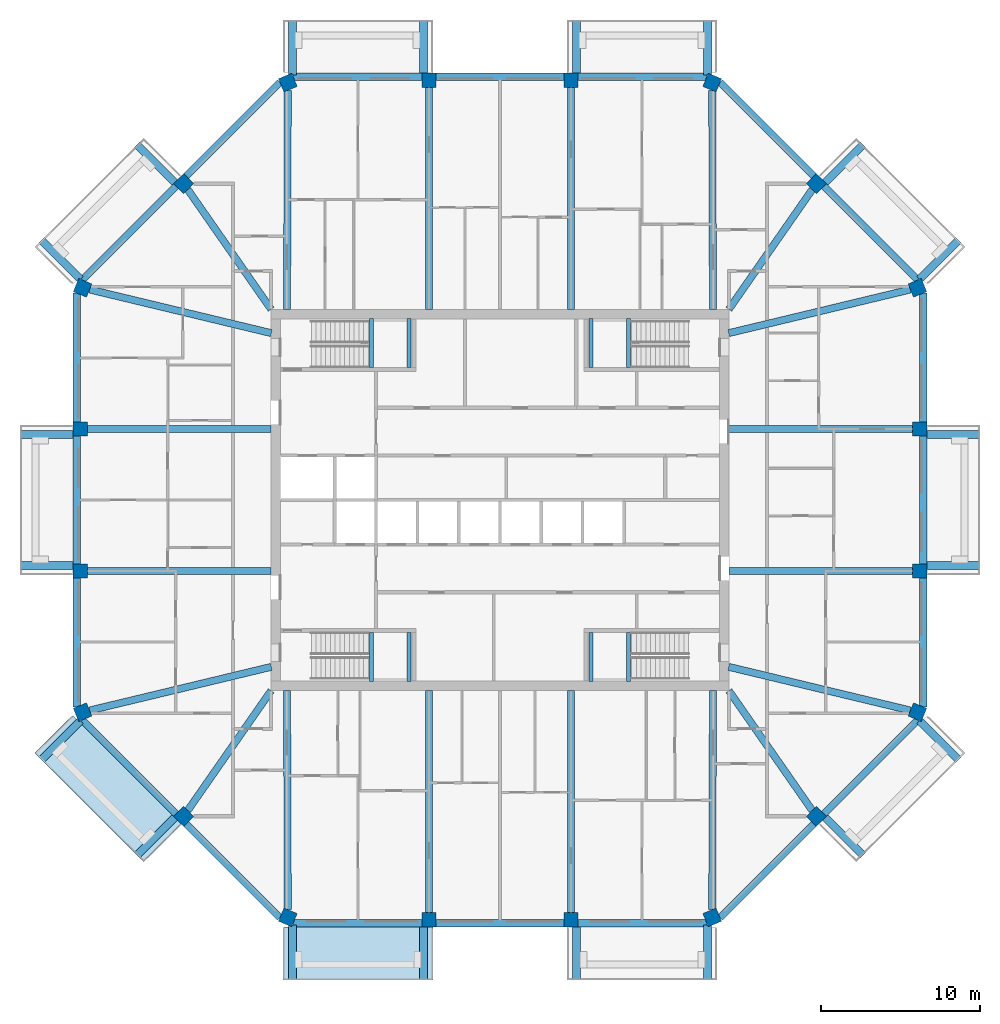
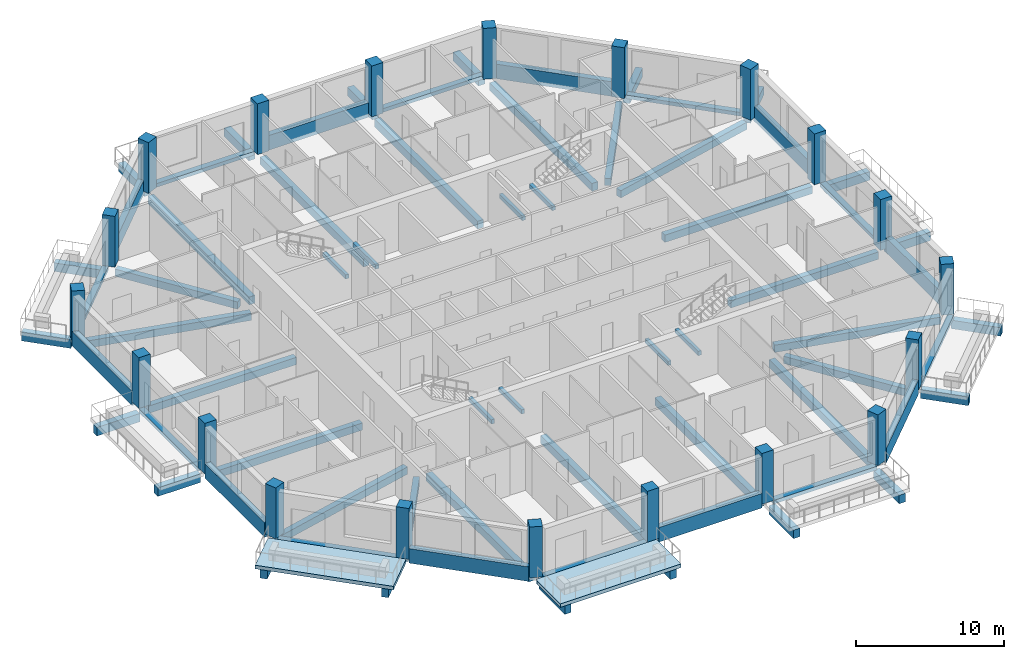
# One storey, part 1 of 13: 68 beams, 20 columns, 2 slabs.
"""IFC4 building model written with IfcOpenShell, lengths in metres."""

import ifcopenshell
import ifcopenshell.guid

model = None  # the IFC model being written
_history = None  # IfcOwnerHistory: only IFC2X3 demands one
_inside = {}  # id of a spatial element -> (the spatial element, [elements in it])
_under = {}  # id of a project, library or spatial element -> (it, [spatial elements below it])
_declared = {}  # id of a project -> (the project, [libraries it declares])
_typed = {}  # id of a type object -> (the type object, [elements of that type])
_made_of = {}  # id of a material, layer set ... -> (it, [elements and type objects made of it])


def new_model(schema):
    """Start an empty IFC model of exactly this schema.

    Asked for "IFC4X3", IfcOpenShell would pick the latest addendum, in which some entities
    have other attributes; the version numbers below select the first issue.
    IFC2X3 requires an IfcOwnerHistory on every rooted entity: one is made here for all.
    """
    global model, _history
    if schema == "IFC4X3":
        model = ifcopenshell.file(schema_version=(4, 3, 0, 0))
    else:
        model = ifcopenshell.file(schema=schema)
    _inside.clear()
    _under.clear()
    _declared.clear()
    _typed.clear()
    _made_of.clear()
    _history = None
    if model.schema == "IFC2X3":
        org = make("IfcOrganization", Name="unknown")
        user = make(
            "IfcPersonAndOrganization",
            ThePerson=make("IfcPerson", FamilyName="unknown"),
            TheOrganization=org,
        )
        app = make(
            "IfcApplication",
            ApplicationDeveloper=org,
            Version="unknown",
            ApplicationFullName="unknown",
            ApplicationIdentifier="unknown",
        )
        _history = make(
            "IfcOwnerHistory",
            OwningUser=user,
            OwningApplication=app,
            ChangeAction="ADDED",
            CreationDate=0,
        )
    return model


def make(cls, **values):
    """One entity of the class cls with the attributes given. An attribute that is None is left unset."""
    return model.create_entity(
        cls, **{name: value for name, value in values.items() if value is not None}
    )


def rooted(cls, **values):
    """An entity with a GlobalId (a new one), such as an element, a storey or a relation."""
    return make(cls, GlobalId=ifcopenshell.guid.new(), OwnerHistory=_history, **values)


def si_unit(unit_type, name, prefix=None):
    """IfcSIUnit, for example si_unit("LENGTHUNIT", "METRE", prefix="MILLI")."""
    return make("IfcSIUnit", UnitType=unit_type, Prefix=prefix, Name=name)


def assignment(units):
    """IfcUnitAssignment: the units of a project."""
    return None if units is None else make("IfcUnitAssignment", Units=units)


def point(xyz):
    """IfcCartesianPoint."""
    return None if xyz is None else make("IfcCartesianPoint", Coordinates=xyz)


def direction(xyz):
    """IfcDirection."""
    return None if xyz is None else make("IfcDirection", DirectionRatios=xyz)


def frame(location, z_axis=None, x_axis=None):
    """IfcAxis2Placement3D, a coordinate frame: its origin and axes. An axis left out is left unset."""
    return make(
        "IfcAxis2Placement3D",
        Location=point(location),
        Axis=direction(z_axis),
        RefDirection=direction(x_axis),
    )


def frame_2d(location, x_axis=None):
    """IfcAxis2Placement2D, a coordinate frame in the plane: its origin and x axis."""
    return make(
        "IfcAxis2Placement2D", Location=point(location), RefDirection=direction(x_axis)
    )


def origin():
    """The frame at (0, 0, 0) with its axes left unset."""
    return frame((0.0, 0.0, 0.0))


def origin_2d():
    """The frame at (0, 0) in the plane with its x axis left unset."""
    return frame_2d((0.0, 0.0))


def place(relative_to, where):
    """IfcLocalPlacement: puts the frame where relative to a parent placement (None: the world)."""
    return make(
        "IfcLocalPlacement", PlacementRelTo=relative_to, RelativePlacement=where
    )


def context(
    kind, dimensions, precision=None, world=None, true_north=None, identifier=None
):
    """IfcGeometricRepresentationContext, for example the 3D "Model" context."""
    return make(
        "IfcGeometricRepresentationContext",
        ContextIdentifier=identifier,
        ContextType=kind,
        CoordinateSpaceDimension=dimensions,
        Precision=precision,
        WorldCoordinateSystem=world,
        TrueNorth=true_north,
    )


def subcontext(parent, identifier, kind, view, scale=None):
    """IfcGeometricRepresentationSubContext, for example "Body" below "Model"."""
    return make(
        "IfcGeometricRepresentationSubContext",
        ContextIdentifier=identifier,
        ContextType=kind,
        ParentContext=parent,
        TargetScale=scale,
        TargetView=view,
    )


def project(units=None, contexts=None):
    """IfcProject with its units and contexts."""
    return rooted(
        "IfcProject",
        Name="project",
        RepresentationContexts=contexts,
        UnitsInContext=assignment(units),
    )


def spatial(cls, under=None, at=None, **own):
    """A site, building, storey or space (cls), placed at a placement, below another one or the project."""
    s = rooted(cls, ObjectPlacement=at, **own)
    if under is not None:
        _under.setdefault(under.id(), (under, []))[1].append(s)
    return s


def polyline(points):
    """IfcPolyline through the points."""
    return make("IfcPolyline", Points=[point(p) for p in points])


def profile(cls, at=None, kind="AREA", **sizes):
    """A parametric profile (cls). Its sizes go by their IFC names, for example OverallWidth=200.0."""
    return make(cls, ProfileType=kind, Position=at, **sizes)


def rectangle(**sizes):
    """IfcRectangleProfileDef."""
    return profile("IfcRectangleProfileDef", **sizes)


def outline(outer, holes=None, kind="AREA"):
    """IfcArbitraryClosedProfileDef: a profile drawn as a closed curve; with holes, ...WithVoids."""
    if holes is None:
        return make("IfcArbitraryClosedProfileDef", ProfileType=kind, OuterCurve=outer)
    return make(
        "IfcArbitraryProfileDefWithVoids",
        ProfileType=kind,
        OuterCurve=outer,
        InnerCurves=holes,
    )


def extrude(swept, where, along, depth):
    """IfcExtrudedAreaSolid: the profile swept, set in the frame where, extruded along a direction by depth."""
    return make(
        "IfcExtrudedAreaSolid",
        SweptArea=swept,
        Position=where,
        ExtrudedDirection=direction(along),
        Depth=depth,
    )


def shape(context_of_items, identifier, shape_type, items):
    """IfcShapeRepresentation: the items that make up one representation, for example the "Body"."""
    return make(
        "IfcShapeRepresentation",
        ContextOfItems=context_of_items,
        RepresentationIdentifier=identifier,
        RepresentationType=shape_type,
        Items=items,
    )


def material(Name=None, Category=None):
    """IfcMaterial."""
    return make("IfcMaterial", Name=Name, Category=Category)


def layer(
    of_material, thickness, ventilated=None, Name=None, Category=None, Priority=None
):
    """IfcMaterialLayer: one layer of a wall or slab, of a material (None: an air gap)."""
    return make(
        "IfcMaterialLayer",
        Material=of_material,
        LayerThickness=thickness,
        IsVentilated=ventilated,
        Name=Name,
        Category=Category,
        Priority=Priority,
    )


def layer_set(layers, Name=None):
    """IfcMaterialLayerSet."""
    return make("IfcMaterialLayerSet", MaterialLayers=layers, LayerSetName=Name)


def material_profile(
    of_material, cross_section, Name=None, Category=None, Priority=None
):
    """IfcMaterialProfile: a cross section and its material."""
    return make(
        "IfcMaterialProfile",
        Name=Name,
        Material=of_material,
        Profile=cross_section,
        Priority=Priority,
        Category=Category,
    )


def profile_set(profiles, Name=None, composite=None):
    """IfcMaterialProfileSet."""
    return make(
        "IfcMaterialProfileSet",
        Name=Name,
        MaterialProfiles=profiles,
        CompositeProfile=composite,
    )


def made_of(thing, what):
    """Note that an element or type object is made of a material, layer set ...; save() writes the relation."""
    if what is not None:
        _made_of.setdefault(what.id(), (what, []))[1].append(thing)
    return thing


def type_object(cls, material=None, **own):
    """A type object (cls), such as IfcWallType, which elements share."""
    return made_of(rooted(cls, **own), material)


def element(
    cls,
    number,
    at=None,
    inside=None,
    cuts=None,
    type_object=None,
    material=None,
    context=None,
    identifier="Body",
    shape_type=None,
    held_by="IfcProductDefinitionShape",
    body=None,
    shapes=None,
    **own,
):
    """One element of the class cls, such as IfcWall. Its Tag is "e" and its number.

    at: its placement. inside: the storey or other place that contains it. cuts: it is an
    opening in that element (IfcRelVoidsElement). A single representation is given by context,
    identifier, shape_type and body (its items); several are given by shapes. held_by: the class
    of the entity that holds the representations. save() writes the other relations.
    """
    e = rooted(cls, Tag="e%d" % number, ObjectPlacement=at, **own)
    if body is not None:
        shapes = [shape(context, identifier, shape_type, body)]
    if shapes is not None:
        e.Representation = make(held_by, Representations=shapes)
    if inside is not None:
        _inside.setdefault(inside.id(), (inside, []))[1].append(e)
    if cuts is not None:
        rooted(
            "IfcRelVoidsElement", RelatingBuildingElement=cuts, RelatedOpeningElement=e
        )
    if type_object is not None:
        _typed.setdefault(type_object.id(), (type_object, []))[1].append(e)
    return made_of(e, material)


def aggregate(whole, parts):
    """IfcRelAggregates: a whole, such as a stair, and the parts it consists of."""
    return rooted("IfcRelAggregates", RelatingObject=whole, RelatedObjects=parts)


def save(model, path):
    """Write the relations noted so far, then the file.

    IfcRelAggregates (storeys below a building ...), IfcRelContainedInSpatialStructure (elements
    in a storey), IfcRelDefinesByType, IfcRelAssociatesMaterial and IfcRelDeclares: one each for
    every whole, place, type object, material and project.
    """
    for whole, parts in _under.values():
        aggregate(whole, parts)
    for where, things in _inside.values():
        rooted(
            "IfcRelContainedInSpatialStructure",
            RelatedElements=things,
            RelatingStructure=where,
        )
    for kind, things in _typed.values():
        rooted("IfcRelDefinesByType", RelatedObjects=things, RelatingType=kind)
    for what, things in _made_of.values():
        rooted("IfcRelAssociatesMaterial", RelatedObjects=things, RelatingMaterial=what)
    for by, libraries in _declared.values():
        rooted("IfcRelDeclares", RelatingContext=by, RelatedDefinitions=libraries)
    model.write(path)


model = new_model("IFC4")

# Units and contexts
model_context = context("Model", 3, precision=1e-05, world=origin(), true_north=direction((0.0, 1.0)))
body_context = subcontext(model_context, "Body", "Model", "MODEL_VIEW")
ifc_project = project(units=[si_unit("LENGTHUNIT", "METRE"), si_unit("AREAUNIT", "SQUARE_METRE"), si_unit("VOLUMEUNIT", "CUBIC_METRE"), si_unit("PLANEANGLEUNIT", "RADIAN"), si_unit("MASSUNIT", "GRAM", prefix="KILO")], contexts=[model_context])

# Site, building, storey
site_placement = place(None, origin())
site = spatial("IfcSite", under=ifc_project, at=site_placement, CompositionType="ELEMENT")
building_placement = place(site_placement, origin())
building = spatial("IfcBuilding", under=site, at=building_placement, Name="Msitu Wima Residences", CompositionType="ELEMENT")
storey_placement = place(building_placement, frame((0.0, 0.0, 289.5)))
storey = spatial("IfcBuildingStorey", under=building, at=storey_placement, Name="L67", CompositionType="ELEMENT", Elevation=289.5)

# Columns
ifc_material_1 = material(Name="Concrete C50/60", Category="concrete")
ifc_material_profile_1 = material_profile(ifc_material_1, rectangle(XDim=0.89990234375, YDim=0.89990234375, at=origin_2d()), Name="RC 900x900")
ifc_profile_set_1 = profile_set([ifc_material_profile_1], Name="Concrete C50/60")
column_type = type_object("IfcColumnType", Name="Column RC 900x900 Concrete C50/60", PredefinedType="COLUMN", material=ifc_profile_set_1)
for number, where, z_axis, x_axis, name in (
    (1, (26.261962890625, -13.3486328125, 0.0), (0.0, 0.0, 1.0), (0.382683496864, 0.923879505795, 0.0), "Column L67 C-E0"),
    (2, (26.39990234375, -4.46875, 0.0), (0.0, 0.0, 1.0), (0.0, 1.0, 0.0), "Column L67 C-E1"),
    (3, (26.39990234375, 4.46875, 0.0), (0.0, 0.0, 1.0), (0.0, 1.0, 0.0), "Column L67 C-E2"),
    (4, (26.261962890625, 13.3486328125, 0.0), (0.0, 0.0, 1.0), (-0.382683496864, 0.923879505795, 0.0), "Column L67 C-NE0"),
    (5, (19.90283203125, 19.90283203125, 0.0), (0.0, 0.0, 1.0), (-0.707106781187, 0.707106781187, 0.0), "Column L67 C-NE1"),
    (6, (13.3486328125, 26.261962890625, 0.0), (0.0, 0.0, 1.0), (-0.923879505795, 0.382683496864, 0.0), "Column L67 C-N0"),
    (7, (4.46875, 26.39990234375, 0.0), (0.0, 0.0, 1.0), (-1.0, 0.0, 0.0), "Column L67 C-N1"),
    (8, (-4.46875, 26.39990234375, 0.0), (0.0, 0.0, 1.0), (-1.0, 0.0, 0.0), "Column L67 C-N2"),
    (9, (-13.3486328125, 26.261962890625, 0.0), (0.0, 0.0, 1.0), (-0.923879505795, -0.382683496864, 0.0), "Column L67 C-NW0"),
    (10, (-19.90283203125, 19.90283203125, 0.0), (0.0, 0.0, 1.0), (-0.707106781187, -0.707106781187, 0.0), "Column L67 C-NW1"),
    (11, (-26.261962890625, 13.3486328125, 0.0), (0.0, 0.0, 1.0), (-0.382683496864, -0.923879505795, 0.0), "Column L67 C-W0"),
    (12, (-26.39990234375, 4.46875, 0.0), (0.0, 0.0, 1.0), (0.0, -1.0, 0.0), "Column L67 C-W1"),
    (13, (-26.39990234375, -4.46875, 0.0), (0.0, 0.0, 1.0), (0.0, -1.0, 0.0), "Column L67 C-W2"),
    (14, (-26.261962890625, -13.3486328125, 0.0), (0.0, 0.0, 1.0), (0.382683496864, -0.923879505795, 0.0), "Column L67 C-SW0"),
    (15, (-19.90283203125, -19.90283203125, 0.0), (0.0, 0.0, 1.0), (0.707106781187, -0.707106781187, 0.0), "Column L67 C-SW1"),
    (16, (-13.3486328125, -26.261962890625, 0.0), (0.0, 0.0, 1.0), (0.923879505795, -0.382683496864, 0.0), "Column L67 C-S0"),
    (17, (-4.46875, -26.39990234375, 0.0), (0.0, 0.0, 1.0), (1.0, 0.0, 0.0), "Column L67 C-S1"),
    (18, (4.46875, -26.39990234375, 0.0), (0.0, 0.0, 1.0), (1.0, 0.0, 0.0), "Column L67 C-S2"),
    (19, (13.3486328125, -26.261962890625, 0.0), (0.0, 0.0, 1.0), (0.923879505795, 0.382683496864, 0.0), "Column L67 C-SE0"),
    (20, (19.90283203125, -19.90283203125, 0.0), (0.0, 0.0, 1.0), (0.707106781187, 0.707106781187, 0.0), "Column L67 C-SE1"),
):
    element("IfcColumn", number, at=place(storey_placement, frame(where, z_axis=z_axis, x_axis=x_axis)), inside=storey, type_object=column_type, Name=name, PredefinedType="COLUMN", context=body_context, shape_type="SweptSolid", body=[
        extrude(rectangle(XDim=0.89990234375, YDim=0.89990234375, at=origin_2d()), origin(), (0.0, 0.0, 1.0), 4.199951171875),
    ])

# Beams
ifc_material_profile_2 = material_profile(ifc_material_1, rectangle(XDim=0.449951171875, YDim=0.60009765625, at=origin_2d()), Name="RC 450x600")
ifc_profile_set_2 = profile_set([ifc_material_profile_2], Name="Concrete C50/60")
beam_type_1 = type_object("IfcBeamType", Name="Beam RC 450x600 Concrete C50/60", PredefinedType="BEAM", material=ifc_profile_set_2)
beam_1_placement = place(storey_placement, frame((25.819091796875, -13.242431640625, -0.550048828125), z_axis=(-0.972353359268, 0.233514335148, 0.0), x_axis=(-0.233514335148, -0.972353359268, 0.0)))
element("IfcBeam", 21, at=beam_1_placement, inside=storey, type_object=beam_type_1, Name="Beam L67 C-E0", PredefinedType="BEAM", context=body_context, shape_type="SweptSolid", body=[
    extrude(rectangle(XDim=0.449951171875, YDim=0.60009765625, at=origin_2d()), origin(), (0.0, 0.0, 1.0), 11.755615234375),
])
for number, where, z_axis, x_axis, name in (
    (22, (25.949951171875, -4.46875, -0.550048828125), (-1.0, 0.0, 0.0), (0.0, -1.0, 0.0), "Beam L67 C-E1"),
    (23, (25.949951171875, 4.46875, -0.550048828125), (-1.0, 0.0, 0.0), (0.0, -1.0, 0.0), "Beam L67 C-E2"),
):
    element("IfcBeam", number, at=place(storey_placement, frame(where, z_axis=z_axis, x_axis=x_axis)), inside=storey, type_object=beam_type_1, Name=name, PredefinedType="BEAM", context=body_context, shape_type="SweptSolid", body=[
        extrude(rectangle(XDim=0.449951171875, YDim=0.60009765625, at=origin_2d()), origin(), (0.0, 0.0, 1.0), 11.550048828125),
    ])
beam_2_placement = place(storey_placement, frame((25.819091796875, 13.242431640625, -0.550048828125), z_axis=(-0.972353359268, -0.233514335148, 0.0), x_axis=(0.233514335148, -0.972353359268, 0.0)))
element("IfcBeam", 24, at=beam_2_placement, inside=storey, type_object=beam_type_1, Name="Beam L67 C-NE0", PredefinedType="BEAM", context=body_context, shape_type="SweptSolid", body=[
    extrude(rectangle(XDim=0.449951171875, YDim=0.60009765625, at=origin_2d()), origin(), (0.0, 0.0, 1.0), 11.755615234375),
])
for number, where, z_axis, x_axis, name in (
    (25, (19.6416015625, 19.52783203125, -0.550048828125), (-0.571427822633, -0.820652328042, 0.0), (0.820652328042, -0.571427822633, 0.0), "Beam L67 C-NE1"),
    (26, (-19.6416015625, 19.52783203125, -0.550048828125), (0.571427822633, -0.820652328042, 0.0), (0.820652328042, 0.571427822633, 0.0), "Beam L67 C-NW1"),
):
    element("IfcBeam", number, at=place(storey_placement, frame(where, z_axis=z_axis, x_axis=x_axis)), inside=storey, type_object=beam_type_1, Name=name, PredefinedType="BEAM", context=body_context, shape_type="SweptSolid", body=[
        extrude(rectangle(XDim=0.449951171875, YDim=0.60009765625, at=origin_2d()), origin(), (0.0, 0.0, 1.0), 9.173095703125),
    ])
beam_3_placement = place(storey_placement, frame((-25.819091796875, 13.242431640625, -0.550048828125), z_axis=(0.972353359268, -0.233514335148, 0.0), x_axis=(0.233514335148, 0.972353359268, 0.0)))
element("IfcBeam", 27, at=beam_3_placement, inside=storey, type_object=beam_type_1, Name="Beam L67 C-W0", PredefinedType="BEAM", context=body_context, shape_type="SweptSolid", body=[
    extrude(rectangle(XDim=0.449951171875, YDim=0.60009765625, at=origin_2d()), origin(), (0.0, 0.0, 1.0), 11.755615234375),
])
for number, where, z_axis, x_axis, name in (
    (28, (-25.949951171875, 4.46875, -0.550048828125), (1.0, 0.0, 0.0), (0.0, 1.0, 0.0), "Beam L67 C-W1"),
    (29, (-25.949951171875, -4.46875, -0.550048828125), (1.0, 0.0, 0.0), (0.0, 1.0, 0.0), "Beam L67 C-W2"),
):
    element("IfcBeam", number, at=place(storey_placement, frame(where, z_axis=z_axis, x_axis=x_axis)), inside=storey, type_object=beam_type_1, Name=name, PredefinedType="BEAM", context=body_context, shape_type="SweptSolid", body=[
        extrude(rectangle(XDim=0.449951171875, YDim=0.60009765625, at=origin_2d()), origin(), (0.0, 0.0, 1.0), 11.550048828125),
    ])
beam_4_placement = place(storey_placement, frame((-25.819091796875, -13.242431640625, -0.550048828125), z_axis=(0.972353359268, 0.233514335148, 0.0), x_axis=(-0.233514335148, 0.972353359268, 0.0)))
element("IfcBeam", 30, at=beam_4_placement, inside=storey, type_object=beam_type_1, Name="Beam L67 C-SW0", PredefinedType="BEAM", context=body_context, shape_type="SweptSolid", body=[
    extrude(rectangle(XDim=0.449951171875, YDim=0.60009765625, at=origin_2d()), origin(), (0.0, 0.0, 1.0), 11.755615234375),
])
for number, where, z_axis, x_axis, name in (
    (31, (-19.6416015625, -19.52783203125, -0.550048828125), (0.571427822633, 0.820652328042, 0.0), (-0.820652328042, 0.571427822633, 0.0), "Beam L67 C-SW1"),
    (32, (19.6416015625, -19.52783203125, -0.550048828125), (-0.571427822633, 0.820652328042, 0.0), (-0.820652328042, -0.571427822633, 0.0), "Beam L67 C-SE1"),
):
    element("IfcBeam", number, at=place(storey_placement, frame(where, z_axis=z_axis, x_axis=x_axis)), inside=storey, type_object=beam_type_1, Name=name, PredefinedType="BEAM", context=body_context, shape_type="SweptSolid", body=[
        extrude(rectangle(XDim=0.449951171875, YDim=0.60009765625, at=origin_2d()), origin(), (0.0, 0.0, 1.0), 9.173095703125),
    ])
ifc_material_profile_3 = material_profile(ifc_material_1, rectangle(XDim=0.449951171875, YDim=0.64990234375, at=origin_2d()), Name="RC 450x650")
ifc_profile_set_3 = profile_set([ifc_material_profile_3], Name="Concrete C50/60")
beam_type_2 = type_object("IfcBeamType", Name="Beam RC 450x650 Concrete C50/60", PredefinedType="BEAM", material=ifc_profile_set_3)
beam_5_placement = place(storey_placement, frame((13.3505859375, 25.774169921875, -0.574951171875), z_axis=(0.003594933206, -0.999993538207, 0.0), x_axis=(0.999993538207, 0.003594933206, 0.0)))
element("IfcBeam", 33, at=beam_5_placement, inside=storey, type_object=beam_type_2, Name="Beam L67 C-N0", PredefinedType="BEAM", context=body_context, shape_type="SweptSolid", body=[
    extrude(rectangle(XDim=0.449951171875, YDim=0.64990234375, at=origin_2d()), origin(), (0.0, 0.0, 1.0), 13.7861328125),
])
for number, where, z_axis, x_axis, name in (
    (34, (4.46875, 25.949951171875, -0.574951171875), (0.0, -1.0, 0.0), (1.0, 0.0, 0.0), "Beam L67 C-N1"),
    (35, (-4.46875, 25.949951171875, -0.574951171875), (0.0, -1.0, 0.0), (1.0, 0.0, 0.0), "Beam L67 C-N2"),
):
    element("IfcBeam", number, at=place(storey_placement, frame(where, z_axis=z_axis, x_axis=x_axis)), inside=storey, type_object=beam_type_2, Name=name, PredefinedType="BEAM", context=body_context, shape_type="SweptSolid", body=[
        extrude(rectangle(XDim=0.449951171875, YDim=0.64990234375, at=origin_2d()), origin(), (0.0, 0.0, 1.0), 13.949951171875),
    ])
for number, where, z_axis, x_axis, name in (
    (36, (-13.3505859375, 25.774169921875, -0.574951171875), (-0.003594933206, -0.999993538207, 0.0), (0.999993538207, -0.003594933206, 0.0), "Beam L67 C-NW0"),
    (37, (-13.3505859375, -25.774169921875, -0.574951171875), (-0.003594933206, 0.999993538207, 0.0), (-0.999993538207, -0.003594933206, 0.0), "Beam L67 C-S0"),
):
    element("IfcBeam", number, at=place(storey_placement, frame(where, z_axis=z_axis, x_axis=x_axis)), inside=storey, type_object=beam_type_2, Name=name, PredefinedType="BEAM", context=body_context, shape_type="SweptSolid", body=[
        extrude(rectangle(XDim=0.449951171875, YDim=0.64990234375, at=origin_2d()), origin(), (0.0, 0.0, 1.0), 13.7861328125),
    ])
for number, where, z_axis, x_axis, name in (
    (38, (-4.46875, -25.949951171875, -0.574951171875), (0.0, 1.0, 0.0), (-1.0, 0.0, 0.0), "Beam L67 C-S1"),
    (39, (4.46875, -25.949951171875, -0.574951171875), (0.0, 1.0, 0.0), (-1.0, 0.0, 0.0), "Beam L67 C-S2"),
):
    element("IfcBeam", number, at=place(storey_placement, frame(where, z_axis=z_axis, x_axis=x_axis)), inside=storey, type_object=beam_type_2, Name=name, PredefinedType="BEAM", context=body_context, shape_type="SweptSolid", body=[
        extrude(rectangle(XDim=0.449951171875, YDim=0.64990234375, at=origin_2d()), origin(), (0.0, 0.0, 1.0), 13.949951171875),
    ])
beam_6_placement = place(storey_placement, frame((13.3505859375, -25.774169921875, -0.574951171875), z_axis=(0.003594933206, 0.999993538207, 0.0), x_axis=(-0.999993538207, 0.003594933206, 0.0)))
element("IfcBeam", 40, at=beam_6_placement, inside=storey, type_object=beam_type_2, Name="Beam L67 C-SE0", PredefinedType="BEAM", context=body_context, shape_type="SweptSolid", body=[
    extrude(rectangle(XDim=0.449951171875, YDim=0.64990234375, at=origin_2d()), origin(), (0.0, 0.0, 1.0), 13.7861328125),
])
ifc_material_profile_4 = material_profile(ifc_material_1, rectangle(XDim=0.5, YDim=0.699951171875, at=origin_2d()), Name="RC 500x700")
ifc_profile_set_4 = profile_set([ifc_material_profile_4], Name="Concrete C50/60")
beam_type_3 = type_object("IfcBeamType", Name="Cantilever beam RC 500x700 Concrete C50/60", PredefinedType="BEAM", material=ifc_profile_set_4)
for number, where, z_axis, x_axis, name in (
    (41, (26.85009765625, -4.11865234375, -0.64990234375), (1.0, 0.0, 0.0), (0.0, 1.0, 0.0), "Cantilever beam L67 BA-E1 A"),
    (42, (26.85009765625, 4.11865234375, -0.64990234375), (1.0, 0.0, 0.0), (0.0, 1.0, 0.0), "Cantilever beam L67 BA-E1 B"),
):
    element("IfcBeam", number, at=place(storey_placement, frame(where, z_axis=z_axis, x_axis=x_axis)), inside=storey, type_object=beam_type_3, Name=name, PredefinedType="BEAM", context=body_context, shape_type="SweptSolid", body=[
        extrude(rectangle(XDim=0.5, YDim=0.699951171875, at=origin_2d()), origin(), (0.0, 0.0, 1.0), 3.349853515625),
    ])
beam_7_placement = place(storey_placement, frame((26.386474609375, 13.887451171875, -0.64990234375), z_axis=(0.707141968506, 0.707071592116, 0.0), x_axis=(-0.707071592116, 0.707141968506, 0.0)))
element("IfcBeam", 43, at=beam_7_placement, inside=storey, type_object=beam_type_3, Name="Cantilever beam L67 BA-NE0 A", PredefinedType="BEAM", context=body_context, shape_type="SweptSolid", body=[
    extrude(rectangle(XDim=0.5, YDim=0.699951171875, at=origin_2d()), origin(), (0.0, 0.0, 1.0), 3.468994140625),
])
beam_8_placement = place(storey_placement, frame((20.46875, 19.9736328125, -0.64990234375), z_axis=(0.707070340836, 0.707143219659, 0.0), x_axis=(-0.707143219659, 0.707070340836, 0.0)))
element("IfcBeam", 44, at=beam_8_placement, inside=storey, type_object=beam_type_3, Name="Cantilever beam L67 BA-NE0 B", PredefinedType="BEAM", context=body_context, shape_type="SweptSolid", body=[
    extrude(rectangle(XDim=0.5, YDim=0.699951171875, at=origin_2d()), origin(), (0.0, 0.0, 1.0), 3.349853515625),
])
beam_9_placement = place(storey_placement, frame((13.055908203125, 26.73095703125, -0.64990234375), z_axis=(0.0, 1.0, 0.0), x_axis=(-1.0, 0.0, 0.0)))
element("IfcBeam", 45, at=beam_9_placement, inside=storey, type_object=beam_type_3, Name="Cantilever beam L67 BA-N0 A", PredefinedType="BEAM", context=body_context, shape_type="SweptSolid", body=[
    extrude(rectangle(XDim=0.5, YDim=0.699951171875, at=origin_2d()), origin(), (0.0, 0.0, 1.0), 3.468994140625),
])
for number, where, z_axis, x_axis, name in (
    (46, (4.818603515625, 26.85009765625, -0.64990234375), (0.0, 1.0, 0.0), (-1.0, 0.0, 0.0), "Cantilever beam L67 BA-N0 B"),
    (47, (-4.818603515625, 26.85009765625, -0.64990234375), (0.0, 1.0, 0.0), (-1.0, 0.0, 0.0), "Cantilever beam L67 BA-N2 A"),
):
    element("IfcBeam", number, at=place(storey_placement, frame(where, z_axis=z_axis, x_axis=x_axis)), inside=storey, type_object=beam_type_3, Name=name, PredefinedType="BEAM", context=body_context, shape_type="SweptSolid", body=[
        extrude(rectangle(XDim=0.5, YDim=0.699951171875, at=origin_2d()), origin(), (0.0, 0.0, 1.0), 3.349853515625),
    ])
beam_10_placement = place(storey_placement, frame((-13.055908203125, 26.73095703125, -0.64990234375), z_axis=(0.0, 1.0, 0.0), x_axis=(-1.0, 0.0, 0.0)))
element("IfcBeam", 48, at=beam_10_placement, inside=storey, type_object=beam_type_3, Name="Cantilever beam L67 BA-N2 B", PredefinedType="BEAM", context=body_context, shape_type="SweptSolid", body=[
    extrude(rectangle(XDim=0.5, YDim=0.699951171875, at=origin_2d()), origin(), (0.0, 0.0, 1.0), 3.468994140625),
])
beam_11_placement = place(storey_placement, frame((-20.46875, 19.9736328125, -0.64990234375), z_axis=(-0.707070340836, 0.707143219659, 0.0), x_axis=(-0.707143219659, -0.707070340836, 0.0)))
element("IfcBeam", 49, at=beam_11_placement, inside=storey, type_object=beam_type_3, Name="Cantilever beam L67 BA-NW1 A", PredefinedType="BEAM", context=body_context, shape_type="SweptSolid", body=[
    extrude(rectangle(XDim=0.5, YDim=0.699951171875, at=origin_2d()), origin(), (0.0, 0.0, 1.0), 3.349853515625),
])
beam_12_placement = place(storey_placement, frame((-26.386474609375, 13.887451171875, -0.64990234375), z_axis=(-0.707141968506, 0.707071592116, 0.0), x_axis=(-0.707071592116, -0.707141968506, 0.0)))
element("IfcBeam", 50, at=beam_12_placement, inside=storey, type_object=beam_type_3, Name="Cantilever beam L67 BA-NW1 B", PredefinedType="BEAM", context=body_context, shape_type="SweptSolid", body=[
    extrude(rectangle(XDim=0.5, YDim=0.699951171875, at=origin_2d()), origin(), (0.0, 0.0, 1.0), 3.468994140625),
])
for number, where, z_axis, x_axis, name in (
    (51, (-26.85009765625, 4.11865234375, -0.64990234375), (-1.0, 0.0, 0.0), (0.0, -1.0, 0.0), "Cantilever beam L67 BA-W1 A"),
    (52, (-26.85009765625, -4.11865234375, -0.64990234375), (-1.0, 0.0, 0.0), (0.0, -1.0, 0.0), "Cantilever beam L67 BA-W1 B"),
):
    element("IfcBeam", number, at=place(storey_placement, frame(where, z_axis=z_axis, x_axis=x_axis)), inside=storey, type_object=beam_type_3, Name=name, PredefinedType="BEAM", context=body_context, shape_type="SweptSolid", body=[
        extrude(rectangle(XDim=0.5, YDim=0.699951171875, at=origin_2d()), origin(), (0.0, 0.0, 1.0), 3.349853515625),
    ])
beam_13_placement = place(storey_placement, frame((-26.386474609375, -13.887451171875, -0.64990234375), z_axis=(-0.707141968506, -0.707071592116, 0.0), x_axis=(0.707071592116, -0.707141968506, 0.0)))
element("IfcBeam", 53, at=beam_13_placement, inside=storey, type_object=beam_type_3, Name="Cantilever beam L67 BA-SW0 A", PredefinedType="BEAM", context=body_context, shape_type="SweptSolid", body=[
    extrude(rectangle(XDim=0.5, YDim=0.699951171875, at=origin_2d()), origin(), (0.0, 0.0, 1.0), 3.468994140625),
])
beam_14_placement = place(storey_placement, frame((-20.46875, -19.9736328125, -0.64990234375), z_axis=(-0.707070340836, -0.707143219659, 0.0), x_axis=(0.707143219659, -0.707070340836, 0.0)))
element("IfcBeam", 54, at=beam_14_placement, inside=storey, type_object=beam_type_3, Name="Cantilever beam L67 BA-SW0 B", PredefinedType="BEAM", context=body_context, shape_type="SweptSolid", body=[
    extrude(rectangle(XDim=0.5, YDim=0.699951171875, at=origin_2d()), origin(), (0.0, 0.0, 1.0), 3.349853515625),
])
beam_15_placement = place(storey_placement, frame((-13.055908203125, -26.73095703125, -0.64990234375), z_axis=(0.0, -1.0, 0.0), x_axis=(1.0, 0.0, 0.0)))
element("IfcBeam", 55, at=beam_15_placement, inside=storey, type_object=beam_type_3, Name="Cantilever beam L67 BA-S0 A", PredefinedType="BEAM", context=body_context, shape_type="SweptSolid", body=[
    extrude(rectangle(XDim=0.5, YDim=0.699951171875, at=origin_2d()), origin(), (0.0, 0.0, 1.0), 3.468994140625),
])
for number, where, z_axis, x_axis, name in (
    (56, (-4.818603515625, -26.85009765625, -0.64990234375), (0.0, -1.0, 0.0), (1.0, 0.0, 0.0), "Cantilever beam L67 BA-S0 B"),
    (57, (4.818603515625, -26.85009765625, -0.64990234375), (0.0, -1.0, 0.0), (1.0, 0.0, 0.0), "Cantilever beam L67 BA-S2 A"),
):
    element("IfcBeam", number, at=place(storey_placement, frame(where, z_axis=z_axis, x_axis=x_axis)), inside=storey, type_object=beam_type_3, Name=name, PredefinedType="BEAM", context=body_context, shape_type="SweptSolid", body=[
        extrude(rectangle(XDim=0.5, YDim=0.699951171875, at=origin_2d()), origin(), (0.0, 0.0, 1.0), 3.349853515625),
    ])
beam_16_placement = place(storey_placement, frame((13.055908203125, -26.73095703125, -0.64990234375), z_axis=(0.0, -1.0, 0.0), x_axis=(1.0, 0.0, 0.0)))
element("IfcBeam", 58, at=beam_16_placement, inside=storey, type_object=beam_type_3, Name="Cantilever beam L67 BA-S2 B", PredefinedType="BEAM", context=body_context, shape_type="SweptSolid", body=[
    extrude(rectangle(XDim=0.5, YDim=0.699951171875, at=origin_2d()), origin(), (0.0, 0.0, 1.0), 3.468994140625),
])
beam_17_placement = place(storey_placement, frame((20.46875, -19.9736328125, -0.64990234375), z_axis=(0.707070340836, -0.707143219659, 0.0), x_axis=(0.707143219659, 0.707070340836, 0.0)))
element("IfcBeam", 59, at=beam_17_placement, inside=storey, type_object=beam_type_3, Name="Cantilever beam L67 BA-SE1 A", PredefinedType="BEAM", context=body_context, shape_type="SweptSolid", body=[
    extrude(rectangle(XDim=0.5, YDim=0.699951171875, at=origin_2d()), origin(), (0.0, 0.0, 1.0), 3.349853515625),
])
beam_18_placement = place(storey_placement, frame((26.386474609375, -13.887451171875, -0.64990234375), z_axis=(0.707141968506, -0.707071592116, 0.0), x_axis=(0.707071592116, 0.707141968506, 0.0)))
element("IfcBeam", 60, at=beam_18_placement, inside=storey, type_object=beam_type_3, Name="Cantilever beam L67 BA-SE1 B", PredefinedType="BEAM", context=body_context, shape_type="SweptSolid", body=[
    extrude(rectangle(XDim=0.5, YDim=0.699951171875, at=origin_2d()), origin(), (0.0, 0.0, 1.0), 3.468994140625),
])
ifc_material_profile_5 = material_profile(ifc_material_1, rectangle(XDim=0.449951171875, YDim=0.300048828125, at=origin_2d()), Name="RC 450x300")
ifc_profile_set_5 = profile_set([ifc_material_profile_5], Name="Concrete C50/60")
beam_type_4 = type_object("IfcBeamType", Name="Edge beam RC 450x300 Concrete C50/60", PredefinedType="SPANDREL", material=ifc_profile_set_5)
beam_19_placement = place(storey_placement, frame((26.625, -4.0185546875, -0.14990234375), z_axis=(0.0, 1.0, 0.0), x_axis=(-1.0, 0.0, 0.0)))
element("IfcBeam", 61, at=beam_19_placement, inside=storey, type_object=beam_type_4, Name="Spandrel L67 E1", PredefinedType="SPANDREL", context=body_context, shape_type="SweptSolid", body=[
    extrude(rectangle(XDim=0.449951171875, YDim=0.300048828125, at=origin_2d()), origin(), (0.0, 0.0, 1.0), 8.037109375),
])
beam_20_placement = place(storey_placement, frame((26.2890625, 13.8349609375, -0.14990234375), z_axis=(-0.707106781187, 0.707106781187, 0.0), x_axis=(-0.707106781187, -0.707106781187, 0.0)))
element("IfcBeam", 62, at=beam_20_placement, inside=storey, type_object=beam_type_4, Name="Spandrel L67 NE0", PredefinedType="SPANDREL", context=body_context, shape_type="SweptSolid", body=[
    extrude(rectangle(XDim=0.449951171875, YDim=0.300048828125, at=origin_2d()), origin(), (0.0, 0.0, 1.0), 8.3564453125),
])
for number, where, z_axis, x_axis, name in (
    (63, (13.02392578125, 26.625, -0.14990234375), (-1.0, 0.0, 0.0), (0.0, -1.0, 0.0), "Spandrel L67 N0"),
    (64, (-4.918701171875, 26.625, -0.14990234375), (-1.0, 0.0, 0.0), (0.0, -1.0, 0.0), "Spandrel L67 N2"),
):
    element("IfcBeam", number, at=place(storey_placement, frame(where, z_axis=z_axis, x_axis=x_axis)), inside=storey, type_object=beam_type_4, Name=name, PredefinedType="SPANDREL", context=body_context, shape_type="SweptSolid", body=[
        extrude(rectangle(XDim=0.449951171875, YDim=0.300048828125, at=origin_2d()), origin(), (0.0, 0.0, 1.0), 8.105224609375),
    ])
beam_21_placement = place(storey_placement, frame((-20.380126953125, 19.743896484375, -0.14990234375), z_axis=(-0.707106781187, -0.707106781187, 0.0), x_axis=(0.707106781187, -0.707106781187, 0.0)))
element("IfcBeam", 65, at=beam_21_placement, inside=storey, type_object=beam_type_4, Name="Spandrel L67 NW1", PredefinedType="SPANDREL", context=body_context, shape_type="SweptSolid", body=[
    extrude(rectangle(XDim=0.449951171875, YDim=0.300048828125, at=origin_2d()), origin(), (0.0, 0.0, 1.0), 8.3564453125),
])
beam_22_placement = place(storey_placement, frame((-26.625, 4.0185546875, -0.14990234375), z_axis=(0.0, -1.0, 0.0), x_axis=(1.0, 0.0, 0.0)))
element("IfcBeam", 66, at=beam_22_placement, inside=storey, type_object=beam_type_4, Name="Spandrel L67 W1", PredefinedType="SPANDREL", context=body_context, shape_type="SweptSolid", body=[
    extrude(rectangle(XDim=0.449951171875, YDim=0.300048828125, at=origin_2d()), origin(), (0.0, 0.0, 1.0), 8.037109375),
])
beam_23_placement = place(storey_placement, frame((-26.2890625, -13.8349609375, -0.14990234375), z_axis=(0.707106781187, -0.707106781187, 0.0), x_axis=(0.707106781187, 0.707106781187, 0.0)))
element("IfcBeam", 67, at=beam_23_placement, inside=storey, type_object=beam_type_4, Name="Spandrel L67 SW0", PredefinedType="SPANDREL", context=body_context, shape_type="SweptSolid", body=[
    extrude(rectangle(XDim=0.449951171875, YDim=0.300048828125, at=origin_2d()), origin(), (0.0, 0.0, 1.0), 8.3564453125),
])
for number, where, z_axis, x_axis, name in (
    (68, (-13.02392578125, -26.625, -0.14990234375), (1.0, 0.0, 0.0), (0.0, 1.0, 0.0), "Spandrel L67 S0"),
    (69, (4.918701171875, -26.625, -0.14990234375), (1.0, 0.0, 0.0), (0.0, 1.0, 0.0), "Spandrel L67 S2"),
):
    element("IfcBeam", number, at=place(storey_placement, frame(where, z_axis=z_axis, x_axis=x_axis)), inside=storey, type_object=beam_type_4, Name=name, PredefinedType="SPANDREL", context=body_context, shape_type="SweptSolid", body=[
        extrude(rectangle(XDim=0.449951171875, YDim=0.300048828125, at=origin_2d()), origin(), (0.0, 0.0, 1.0), 8.105224609375),
    ])
beam_24_placement = place(storey_placement, frame((20.380126953125, -19.743896484375, -0.14990234375), z_axis=(0.707106781187, 0.707106781187, 0.0), x_axis=(-0.707106781187, 0.707106781187, 0.0)))
element("IfcBeam", 70, at=beam_24_placement, inside=storey, type_object=beam_type_4, Name="Spandrel L67 SE1", PredefinedType="SPANDREL", context=body_context, shape_type="SweptSolid", body=[
    extrude(rectangle(XDim=0.449951171875, YDim=0.300048828125, at=origin_2d()), origin(), (0.0, 0.0, 1.0), 8.3564453125),
])
ifc_material_2 = material(Name="Concrete C40/50", Category="concrete")
ifc_material_profile_6 = material_profile(ifc_material_2, rectangle(XDim=0.25, YDim=0.35009765625, at=origin_2d()), Name="RC 250x350")
ifc_profile_set_6 = profile_set([ifc_material_profile_6], Name="Concrete C40/50")
beam_type_5 = type_object("IfcBeamType", Name="Landing beam RC 250x350", PredefinedType="BEAM", material=ifc_profile_set_6)
for number, where, z_axis, x_axis, name in (
    (71, (-8.074951171875, 8.324951171875, 1.72509765625), (0.0, 1.0, 0.0), (-1.0, 0.0, 0.0), "Stair 1 landing beam"),
    (72, (-5.72509765625, 8.324951171875, 1.72509765625), (0.0, 1.0, 0.0), (-1.0, 0.0, 0.0), "Stair 1 landing beam"),
    (73, (-8.074951171875, -11.425048828125, 1.72509765625), (0.0, 1.0, 0.0), (-1.0, 0.0, 0.0), "Stair 2 landing beam"),
    (74, (-5.72509765625, -11.425048828125, 1.72509765625), (0.0, 1.0, 0.0), (-1.0, 0.0, 0.0), "Stair 2 landing beam"),
    (75, (8.074951171875, 8.324951171875, 1.72509765625), (0.0, 1.0, 0.0), (-1.0, 0.0, 0.0), "Stair 3 landing beam"),
    (76, (5.72509765625, 8.324951171875, 1.72509765625), (0.0, 1.0, 0.0), (-1.0, 0.0, 0.0), "Stair 3 landing beam"),
    (77, (8.074951171875, -11.425048828125, 1.72509765625), (0.0, 1.0, 0.0), (-1.0, 0.0, 0.0), "Stair 4 landing beam"),
    (78, (5.72509765625, -11.425048828125, 1.72509765625), (0.0, 1.0, 0.0), (-1.0, 0.0, 0.0), "Stair 4 landing beam"),
):
    element("IfcBeam", number, at=place(storey_placement, frame(where, z_axis=z_axis, x_axis=x_axis)), inside=storey, type_object=beam_type_5, Name=name, PredefinedType="BEAM", context=body_context, shape_type="SweptSolid", body=[
        extrude(rectangle(XDim=0.25, YDim=0.35009765625, at=origin_2d()), origin(), (0.0, 0.0, 1.0), 3.10009765625),
    ])
ifc_material_profile_7 = material_profile(ifc_material_1, rectangle(XDim=0.449951171875, YDim=1.199951171875, at=origin_2d()), Name="RC 450x1200")
ifc_profile_set_7 = profile_set([ifc_material_profile_7], Name="Concrete C50/60")
beam_type_6 = type_object("IfcBeamType", Name="Spandrel RC 450x1200 Concrete C50/60", PredefinedType="SPANDREL", material=ifc_profile_set_7)
for number, where, z_axis, x_axis, name in (
    (79, (26.625, -13.02392578125, 0.300048828125), (0.0, 1.0, 0.0), (-1.0, 0.0, 0.0), "Spandrel L67 E0"),
    (80, (26.625, 4.918701171875, 0.300048828125), (0.0, 1.0, 0.0), (-1.0, 0.0, 0.0), "Spandrel L67 E2"),
):
    element("IfcBeam", number, at=place(storey_placement, frame(where, z_axis=z_axis, x_axis=x_axis)), inside=storey, type_object=beam_type_6, Name=name, PredefinedType="SPANDREL", context=body_context, shape_type="SweptSolid", body=[
        extrude(rectangle(XDim=0.449951171875, YDim=1.199951171875, at=origin_2d()), origin(), (0.0, 0.0, 1.0), 8.105224609375),
    ])
beam_25_placement = place(storey_placement, frame((19.743896484375, 20.380126953125, 0.300048828125), z_axis=(-0.707106781187, 0.707106781187, 0.0), x_axis=(-0.707106781187, -0.707106781187, 0.0)))
element("IfcBeam", 81, at=beam_25_placement, inside=storey, type_object=beam_type_6, Name="Spandrel L67 NE1", PredefinedType="SPANDREL", context=body_context, shape_type="SweptSolid", body=[
    extrude(rectangle(XDim=0.449951171875, YDim=1.199951171875, at=origin_2d()), origin(), (0.0, 0.0, 1.0), 8.3564453125),
])
beam_26_placement = place(storey_placement, frame((4.0185546875, 26.625, 0.300048828125), z_axis=(-1.0, 0.0, 0.0), x_axis=(0.0, -1.0, 0.0)))
element("IfcBeam", 82, at=beam_26_placement, inside=storey, type_object=beam_type_6, Name="Spandrel L67 N1", PredefinedType="SPANDREL", context=body_context, shape_type="SweptSolid", body=[
    extrude(rectangle(XDim=0.449951171875, YDim=1.199951171875, at=origin_2d()), origin(), (0.0, 0.0, 1.0), 8.037109375),
])
beam_27_placement = place(storey_placement, frame((-13.8349609375, 26.2890625, 0.300048828125), z_axis=(-0.707106781187, -0.707106781187, 0.0), x_axis=(0.707106781187, -0.707106781187, 0.0)))
element("IfcBeam", 83, at=beam_27_placement, inside=storey, type_object=beam_type_6, Name="Spandrel L67 NW0", PredefinedType="SPANDREL", context=body_context, shape_type="SweptSolid", body=[
    extrude(rectangle(XDim=0.449951171875, YDim=1.199951171875, at=origin_2d()), origin(), (0.0, 0.0, 1.0), 8.3564453125),
])
for number, where, z_axis, x_axis, name in (
    (84, (-26.625, 13.02392578125, 0.300048828125), (0.0, -1.0, 0.0), (1.0, 0.0, 0.0), "Spandrel L67 W0"),
    (85, (-26.625, -4.918701171875, 0.300048828125), (0.0, -1.0, 0.0), (1.0, 0.0, 0.0), "Spandrel L67 W2"),
):
    element("IfcBeam", number, at=place(storey_placement, frame(where, z_axis=z_axis, x_axis=x_axis)), inside=storey, type_object=beam_type_6, Name=name, PredefinedType="SPANDREL", context=body_context, shape_type="SweptSolid", body=[
        extrude(rectangle(XDim=0.449951171875, YDim=1.199951171875, at=origin_2d()), origin(), (0.0, 0.0, 1.0), 8.105224609375),
    ])
beam_28_placement = place(storey_placement, frame((-19.743896484375, -20.380126953125, 0.300048828125), z_axis=(0.707106781187, -0.707106781187, 0.0), x_axis=(0.707106781187, 0.707106781187, 0.0)))
element("IfcBeam", 86, at=beam_28_placement, inside=storey, type_object=beam_type_6, Name="Spandrel L67 SW1", PredefinedType="SPANDREL", context=body_context, shape_type="SweptSolid", body=[
    extrude(rectangle(XDim=0.449951171875, YDim=1.199951171875, at=origin_2d()), origin(), (0.0, 0.0, 1.0), 8.3564453125),
])
beam_29_placement = place(storey_placement, frame((-4.0185546875, -26.625, 0.300048828125), z_axis=(1.0, 0.0, 0.0), x_axis=(0.0, 1.0, 0.0)))
element("IfcBeam", 87, at=beam_29_placement, inside=storey, type_object=beam_type_6, Name="Spandrel L67 S1", PredefinedType="SPANDREL", context=body_context, shape_type="SweptSolid", body=[
    extrude(rectangle(XDim=0.449951171875, YDim=1.199951171875, at=origin_2d()), origin(), (0.0, 0.0, 1.0), 8.037109375),
])
beam_30_placement = place(storey_placement, frame((13.8349609375, -26.2890625, 0.300048828125), z_axis=(0.707106781187, 0.707106781187, 0.0), x_axis=(-0.707106781187, 0.707106781187, 0.0)))
element("IfcBeam", 88, at=beam_30_placement, inside=storey, type_object=beam_type_6, Name="Spandrel L67 SE0", PredefinedType="SPANDREL", context=body_context, shape_type="SweptSolid", body=[
    extrude(rectangle(XDim=0.449951171875, YDim=1.199951171875, at=origin_2d()), origin(), (0.0, 0.0, 1.0), 8.3564453125),
])

# Slabs
ifc_layer = layer(ifc_material_2, 0.300048828125)
ifc_layer_set = layer_set([ifc_layer], Name="Concrete C40/50")
slab_type = type_object("IfcSlabType", Name="Balcony slab BS300", PredefinedType="FLOOR", material=ifc_layer_set)
slab_1_placement = place(storey_placement, frame((0.0, 0.0, -0.300048828125)))
element("IfcSlab", 89, at=slab_1_placement, inside=storey, type_object=slab_type, Name="Balcony SW0 L67", PredefinedType="FLOOR", context=body_context, shape_type="SweptSolid", body=[
    extrude(outline(polyline([(-26.505615234375, -13.936767578125), (-26.505615234375, -13.936767578125), (-20.04443359375, -20.39794921875), (-22.4130859375, -22.766845703125), (-29.263671875, -15.916015625), (-27.003662109375, -13.656005859375), (-26.85009765625, -13.59228515625), (-26.505615234375, -13.936767578125), (-26.505615234375, -13.936767578125)])), origin(), (0.0, 0.0, 1.0), 0.300048828125),
])
slab_2_placement = place(storey_placement, frame((0.0, 0.0, -0.300048828125)))
element("IfcSlab", 90, at=slab_2_placement, inside=storey, type_object=slab_type, Name="Balcony S0 L67", PredefinedType="FLOOR", context=body_context, shape_type="SweptSolid", body=[
    extrude(outline(polyline([(-13.105224609375, -26.85009765625), (-13.105224609375, -26.85009765625), (-4.918701171875, -26.85009765625), (-4.21875, -26.85009765625), (-4.21875, -30.199951171875), (-13.656005859375, -30.199951171875), (-13.656005859375, -27.003662109375), (-13.59228515625, -26.85009765625), (-13.105224609375, -26.85009765625), (-13.105224609375, -26.85009765625)])), origin(), (0.0, 0.0, 1.0), 0.300048828125),
])

save(model, "model.ifc")
